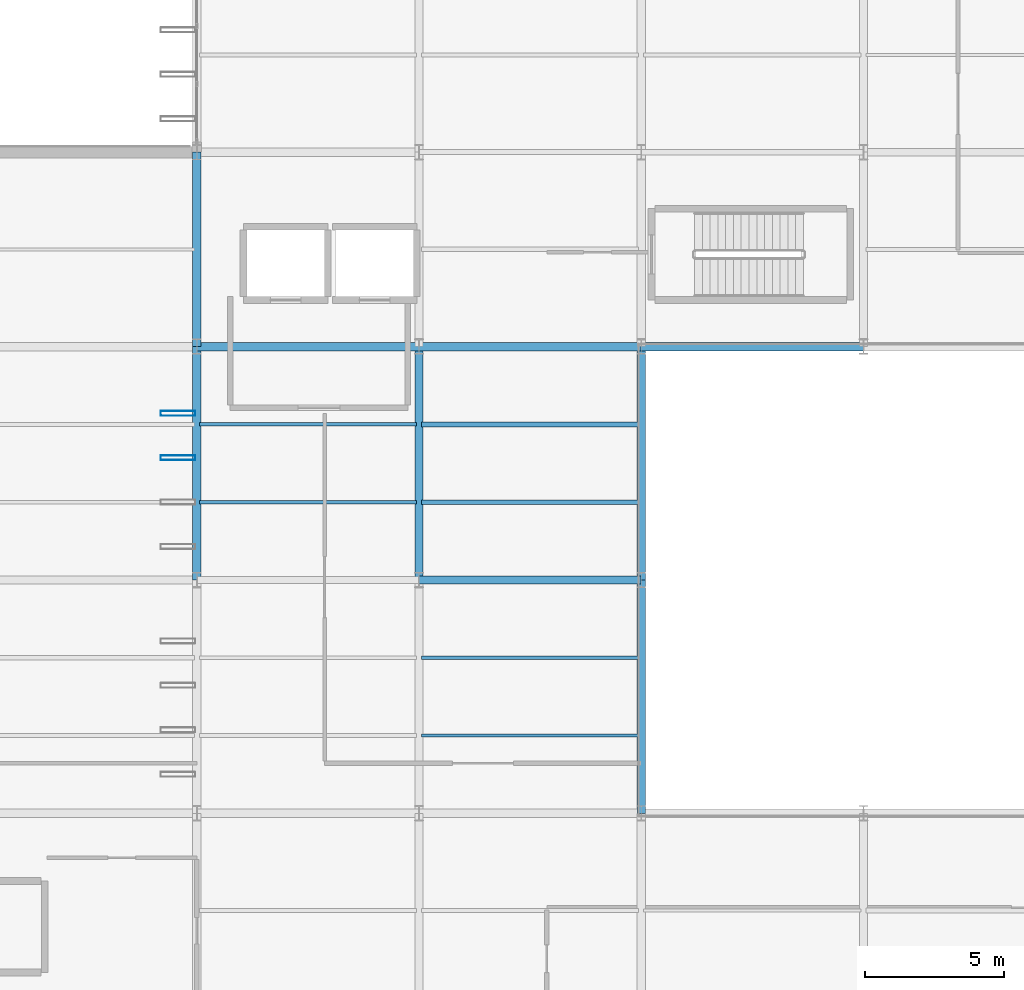
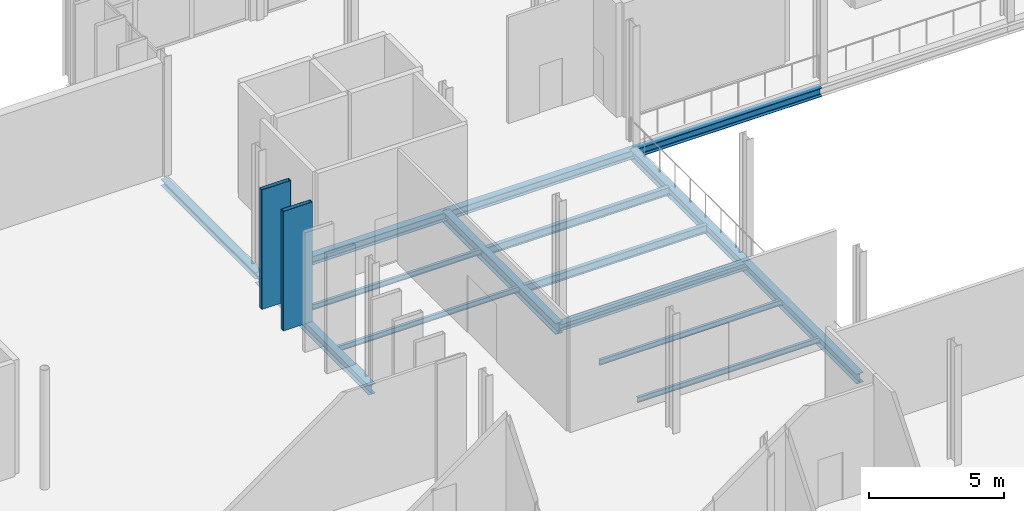
# One storey, part 50 of 147: 15 beams, 2 members.
"""IFC4 building model written with IfcOpenShell, lengths in metres."""

from ifc_helpers import new_model, si_unit, direction, frame, origin, origin_2d, place, context, subcontext, project, spatial, hollow_rectangle, i_section, extrude, material, material_profile, profile_set, type_object, element, save


model = new_model("IFC4")

# Units and contexts
model_context = context("Model", 3, precision=1e-05, world=origin(), true_north=direction((0.0, 1.0)))
body_context = subcontext(model_context, "Body", "Model", "MODEL_VIEW")
ifc_project = project(units=[si_unit("LENGTHUNIT", "METRE"), si_unit("AREAUNIT", "SQUARE_METRE"), si_unit("VOLUMEUNIT", "CUBIC_METRE"), si_unit("PLANEANGLEUNIT", "RADIAN"), si_unit("MASSUNIT", "GRAM", prefix="KILO")], contexts=[model_context])

# Site, building, storey
site_placement = place(None, origin())
site = spatial("IfcSite", under=ifc_project, at=site_placement, CompositionType="ELEMENT")
building_placement = place(site_placement, origin())
building = spatial("IfcBuilding", under=site, at=building_placement, Name="Vekula Escarpment Museum", CompositionType="ELEMENT")
storey_placement = place(building_placement, frame((0.0, 0.0, 7.800048828125)))
storey = spatial("IfcBuildingStorey", under=building, at=storey_placement, Name="L02", CompositionType="ELEMENT", Elevation=7.800048828125)

# Beams
ifc_material_1 = material(Name="Steel S355", Category="steel")
ifc_material_profile_1 = material_profile(ifc_material_1, i_section(OverallWidth=0.300048828125, OverallDepth=0.300048828125, WebThickness=0.010986328125, FlangeThickness=0.01904296875, FilletRadius=0.027099609375, at=origin_2d()), Name="HEB 300")
ifc_profile_set_1 = profile_set([ifc_material_profile_1], Name="Steel S355")
beam_type_1 = type_object("IfcBeamType", Name="BM-GIRD-HEB300", PredefinedType="BEAM", material=ifc_profile_set_1)
beam_1_placement = place(storey_placement, frame((78.0, 68.0, -0.41015625), z_axis=(1.0, 0.0, 0.0), x_axis=(0.0, 1.0, 0.0)))
element("IfcBeam", 1, at=beam_1_placement, inside=storey, type_object=beam_type_1, Name="Beam X L02 0898", PredefinedType="BEAM", context=body_context, shape_type="SweptSolid", body=[
    extrude(i_section(OverallWidth=0.300048828125, OverallDepth=0.300048828125, WebThickness=0.010986328125, FlangeThickness=0.01904296875, FilletRadius=0.027099609375, at=origin_2d()), origin(), (0.0, 0.0, 1.0), 8.0),
])
ifc_material_2 = material(Name="Steel S355", Category="steel")
ifc_material_profile_2 = material_profile(ifc_material_2, i_section(OverallWidth=0.300048828125, OverallDepth=0.5, WebThickness=0.014404296875, FlangeThickness=0.028076171875, FilletRadius=0.027099609375, at=origin_2d()), Name="HEB 500")
ifc_profile_set_2 = profile_set([ifc_material_profile_2], Name="Steel S355")
beam_type_2 = type_object("IfcBeamType", Name="BM-GIRD-HEB500", PredefinedType="BEAM", material=ifc_profile_set_2)
beam_2_placement = place(storey_placement, frame((78.0, 68.0, -0.510009765625), z_axis=(0.0, 1.0, 0.0), x_axis=(-1.0, 0.0, 0.0)))
element("IfcBeam", 2, at=beam_2_placement, inside=storey, type_object=beam_type_2, Name="Beam Y L02 1137", PredefinedType="BEAM", context=body_context, shape_type="SweptSolid", body=[
    extrude(i_section(OverallWidth=0.300048828125, OverallDepth=0.5, WebThickness=0.014404296875, FlangeThickness=0.028076171875, FilletRadius=0.027099609375, at=origin_2d()), origin(), (0.0, 0.0, 1.0), 8.39990234375),
])
ifc_material_3 = material(Name="Steel S355", Category="steel")
ifc_material_profile_3 = material_profile(ifc_material_3, i_section(OverallWidth=0.1201171875, OverallDepth=0.239990234375, WebThickness=0.006103515625, FlangeThickness=0.009765625, FilletRadius=0.014892578125, at=origin_2d()), Name="IPE 240")
ifc_profile_set_3 = profile_set([ifc_material_profile_3], Name="Steel S355")
beam_type_3 = type_object("IfcBeamType", Name="BM-JST-IPE240", PredefinedType="JOIST", material=ifc_profile_set_3)
for number, where, z_axis, x_axis, name in (
    (3, (70.090087890625, 70.800048828125, -0.380126953125), (1.0, 0.0, 0.0), (0.0, 1.0, 0.0), "Secondary Joist L02 0736"),
    (4, (70.090087890625, 73.60009765625, -0.380126953125), (1.0, 0.0, 0.0), (0.0, 1.0, 0.0), "Secondary Joist L02 0737"),
    (5, (78.090087890625, 62.39990234375, -0.380126953125), (1.0, 0.0, 0.0), (0.0, 1.0, 0.0), "Secondary Joist L02 0745"),
    (6, (78.090087890625, 65.199951171875, -0.380126953125), (1.0, 0.0, 0.0), (0.0, 1.0, 0.0), "Secondary Joist L02 0746"),
):
    element("IfcBeam", number, at=place(storey_placement, frame(where, z_axis=z_axis, x_axis=x_axis)), inside=storey, type_object=beam_type_3, Name=name, PredefinedType="JOIST", context=body_context, shape_type="SweptSolid", body=[
        extrude(i_section(OverallWidth=0.1201171875, OverallDepth=0.239990234375, WebThickness=0.006103515625, FlangeThickness=0.009765625, FilletRadius=0.014892578125, at=origin_2d()), origin(), (0.0, 0.0, 1.0), 7.81982421875),
    ])
ifc_material_4 = material(Name="Steel S355", Category="steel")
ifc_material_profile_4 = material_profile(ifc_material_4, i_section(OverallWidth=0.169921875, OverallDepth=0.360107421875, WebThickness=0.008056640625, FlangeThickness=0.0126953125, FilletRadius=0.01806640625, at=origin_2d()), Name="IPE 360")
ifc_profile_set_4 = profile_set([ifc_material_profile_4], Name="Steel S355")
beam_type_4 = type_object("IfcBeamType", Name="BM-JST-IPE360", PredefinedType="JOIST", material=ifc_profile_set_4)
for number, where, z_axis, x_axis, name in (
    (7, (78.090087890625, 70.800048828125, -0.43994140625), (1.0, 0.0, 0.0), (0.0, 1.0, 0.0), "Secondary Joist L02 0747"),
    (8, (78.090087890625, 73.60009765625, -0.43994140625), (1.0, 0.0, 0.0), (0.0, 1.0, 0.0), "Secondary Joist L02 0748"),
):
    element("IfcBeam", number, at=place(storey_placement, frame(where, z_axis=z_axis, x_axis=x_axis)), inside=storey, type_object=beam_type_4, Name=name, PredefinedType="JOIST", context=body_context, shape_type="SweptSolid", body=[
        extrude(i_section(OverallWidth=0.169921875, OverallDepth=0.360107421875, WebThickness=0.008056640625, FlangeThickness=0.0126953125, FilletRadius=0.01806640625, at=origin_2d()), origin(), (0.0, 0.0, 1.0), 7.81982421875),
    ])
ifc_material_5 = material(Name="Steel S355", Category="steel")
ifc_material_profile_5 = material_profile(ifc_material_5, i_section(OverallWidth=0.300048828125, OverallDepth=0.2900390625, WebThickness=0.008544921875, FlangeThickness=0.013916015625, FilletRadius=0.027099609375, at=origin_2d()), Name="HEA 300")
ifc_profile_set_5 = profile_set([ifc_material_profile_5], Name="Steel S355")
beam_type_5 = type_object("IfcBeamType", Name="BM-SPAN-HEA300", PredefinedType="SPANDREL", material=ifc_profile_set_5)
beam_3_placement = place(storey_placement, frame((70.0, 76.39990234375, -0.405029296875), z_axis=(0.0, 1.0, 0.0), x_axis=(-1.0, 0.0, 0.0)))
element("IfcBeam", 9, at=beam_3_placement, inside=storey, type_object=beam_type_5, Name="Beam Y L02 1130", PredefinedType="SPANDREL", context=body_context, shape_type="SweptSolid", body=[
    extrude(i_section(OverallWidth=0.300048828125, OverallDepth=0.2900390625, WebThickness=0.008544921875, FlangeThickness=0.013916015625, FilletRadius=0.027099609375, at=origin_2d()), origin(), (0.0, 0.0, 1.0), 7.0),
])
ifc_material_6 = material(Name="Steel S355", Category="steel")
ifc_material_profile_6 = material_profile(ifc_material_6, i_section(OverallWidth=0.300048828125, OverallDepth=0.389892578125, WebThickness=0.010986328125, FlangeThickness=0.01904296875, FilletRadius=0.027099609375, at=origin_2d()), Name="HEA 400")
ifc_profile_set_6 = profile_set([ifc_material_profile_6], Name="Steel S355")
beam_type_6 = type_object("IfcBeamType", Name="BM-SPAN-HEA400", PredefinedType="SPANDREL", material=ifc_profile_set_6)
for number, where, z_axis, x_axis, name in (
    (10, (70.0, 76.39990234375, -0.455078125), (1.0, 0.0, 0.0), (0.0, 1.0, 0.0), "Beam X L02 0917"),
    (11, (78.0, 76.39990234375, -0.455078125), (1.0, 0.0, 0.0), (0.0, 1.0, 0.0), "Beam X L02 0918"),
    (12, (86.0, 76.39990234375, -0.455078125), (1.0, 0.0, 0.0), (0.0, 1.0, 0.0), "Beam X L02 0919"),
):
    element("IfcBeam", number, at=place(storey_placement, frame(where, z_axis=z_axis, x_axis=x_axis)), inside=storey, type_object=beam_type_6, Name=name, PredefinedType="SPANDREL", context=body_context, shape_type="SweptSolid", body=[
        extrude(i_section(OverallWidth=0.300048828125, OverallDepth=0.389892578125, WebThickness=0.010986328125, FlangeThickness=0.01904296875, FilletRadius=0.027099609375, at=origin_2d()), origin(), (0.0, 0.0, 1.0), 8.0),
    ])
ifc_material_7 = material(Name="Steel S355", Category="steel")
ifc_material_profile_7 = material_profile(ifc_material_7, i_section(OverallWidth=0.300048828125, OverallDepth=0.43994140625, WebThickness=0.011474609375, FlangeThickness=0.02099609375, FilletRadius=0.027099609375, at=origin_2d()), Name="HEA 450")
ifc_profile_set_7 = profile_set([ifc_material_profile_7], Name="Steel S355")
beam_type_7 = type_object("IfcBeamType", Name="BM-SPAN-HEA450", PredefinedType="SPANDREL", material=ifc_profile_set_7)
for number, where, z_axis, x_axis, name in (
    (13, (70.0, 68.0, -0.47998046875), (0.0, 1.0, 0.0), (-1.0, 0.0, 0.0), "Beam Y L02 1129"),
    (14, (86.0, 59.60009765625, -0.47998046875), (0.0, 1.0, 0.0), (-1.0, 0.0, 0.0), "Beam Y L02 1146"),
    (15, (86.0, 68.0, -0.47998046875), (0.0, 1.0, 0.0), (-1.0, 0.0, 0.0), "Beam Y L02 1147"),
):
    element("IfcBeam", number, at=place(storey_placement, frame(where, z_axis=z_axis, x_axis=x_axis)), inside=storey, type_object=beam_type_7, Name=name, PredefinedType="SPANDREL", context=body_context, shape_type="SweptSolid", body=[
        extrude(i_section(OverallWidth=0.300048828125, OverallDepth=0.43994140625, WebThickness=0.011474609375, FlangeThickness=0.02099609375, FilletRadius=0.027099609375, at=origin_2d()), origin(), (0.0, 0.0, 1.0), 8.39990234375),
    ])

# Members
ifc_material_8 = material(Name="Steel S355 weathered bronze solar fin", Category="steel")
ifc_material_profile_8 = material_profile(ifc_material_8, hollow_rectangle(XDim=0.179931640625, YDim=1.25, WallThickness=0.010009765625, InnerFilletRadius=0.010009765625, OuterFilletRadius=0.02001953125, at=origin_2d()), Name="RHS 1250x180x10")
ifc_profile_set_8 = profile_set([ifc_material_profile_8], Name="Steel S355 weathered bronze solar fin")
member_type = type_object("IfcMemberType", Name="MB-SOLAR-FIN", PredefinedType="USERDEFINED", material=ifc_profile_set_8)
for number, where, z_axis, x_axis, name in (
    (16, (69.320068359375, 72.39990234375, 0.0), (0.0, 0.0, 1.0), (0.0, 1.0, 0.0), "Great Hall Vertical Solar Fin 0327"),
    (17, (69.320068359375, 74.0, 0.0), (0.0, 0.0, 1.0), (0.0, 1.0, 0.0), "Great Hall Vertical Solar Fin 0332"),
):
    element("IfcMember", number, at=place(storey_placement, frame(where, z_axis=z_axis, x_axis=x_axis)), inside=storey, type_object=member_type, Name=name, ObjectType="SOLAR FIN", PredefinedType="USERDEFINED", context=body_context, shape_type="SweptSolid", body=[
        extrude(hollow_rectangle(XDim=0.179931640625, YDim=1.25, WallThickness=0.010009765625, InnerFilletRadius=0.010009765625, OuterFilletRadius=0.02001953125, at=origin_2d()), origin(), (0.0, 0.0, 1.0), 5.39990234375),
    ])

save(model, "model.ifc")
